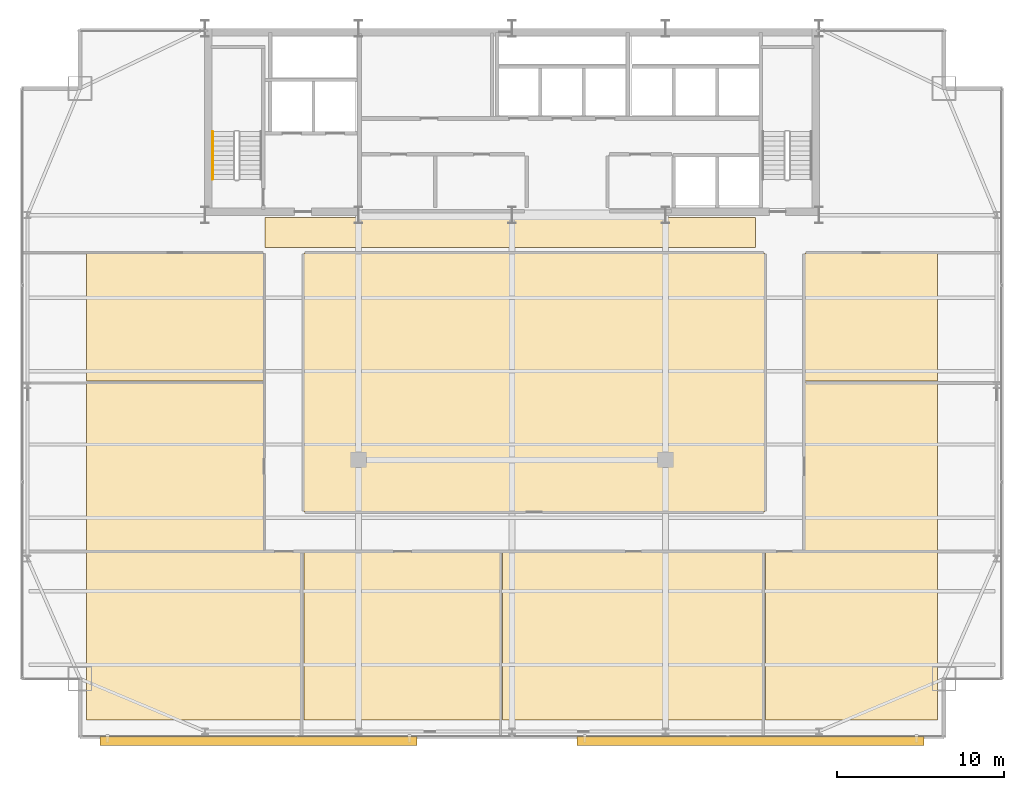
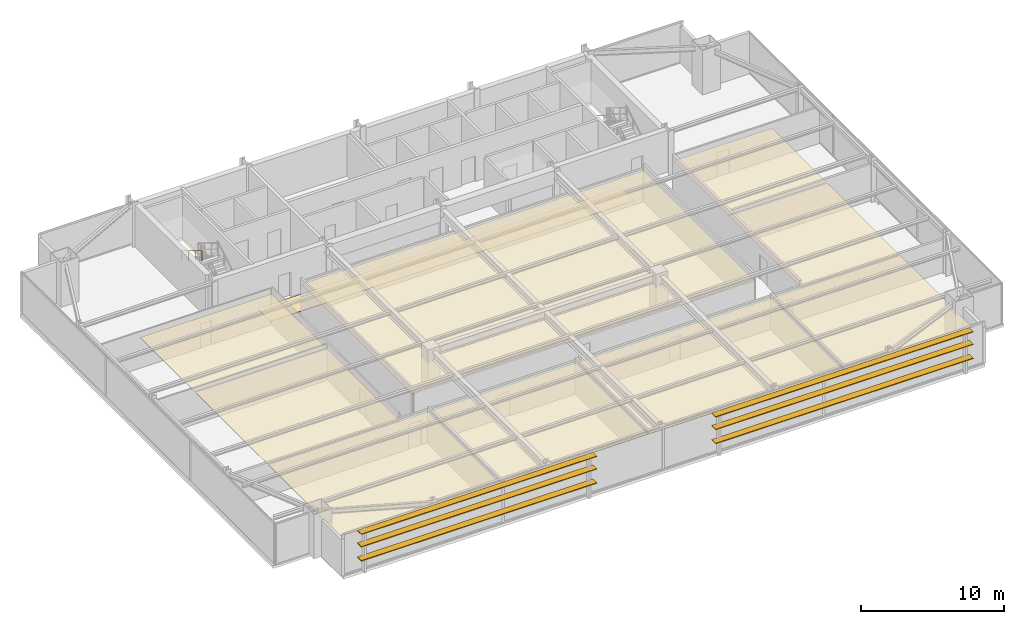
# One storey, part 32 of 33: 10 coverings, 6 shading devices, 1 railing.
"""IFC4 building model written with IfcOpenShell, lengths in metres."""

import ifcopenshell
import ifcopenshell.guid

model = None  # the IFC model being written
_history = None  # IfcOwnerHistory: only IFC2X3 demands one
_inside = {}  # id of a spatial element -> (the spatial element, [elements in it])
_under = {}  # id of a project, library or spatial element -> (it, [spatial elements below it])
_declared = {}  # id of a project -> (the project, [libraries it declares])
_typed = {}  # id of a type object -> (the type object, [elements of that type])
_made_of = {}  # id of a material, layer set ... -> (it, [elements and type objects made of it])


def new_model(schema):
    """Start an empty IFC model of exactly this schema.

    Asked for "IFC4X3", IfcOpenShell would pick the latest addendum, in which some entities
    have other attributes; the version numbers below select the first issue.
    IFC2X3 requires an IfcOwnerHistory on every rooted entity: one is made here for all.
    """
    global model, _history
    if schema == "IFC4X3":
        model = ifcopenshell.file(schema_version=(4, 3, 0, 0))
    else:
        model = ifcopenshell.file(schema=schema)
    _inside.clear()
    _under.clear()
    _declared.clear()
    _typed.clear()
    _made_of.clear()
    _history = None
    if model.schema == "IFC2X3":
        org = make("IfcOrganization", Name="unknown")
        user = make(
            "IfcPersonAndOrganization",
            ThePerson=make("IfcPerson", FamilyName="unknown"),
            TheOrganization=org,
        )
        app = make(
            "IfcApplication",
            ApplicationDeveloper=org,
            Version="unknown",
            ApplicationFullName="unknown",
            ApplicationIdentifier="unknown",
        )
        _history = make(
            "IfcOwnerHistory",
            OwningUser=user,
            OwningApplication=app,
            ChangeAction="ADDED",
            CreationDate=0,
        )
    return model


def make(cls, **values):
    """One entity of the class cls with the attributes given. An attribute that is None is left unset."""
    return model.create_entity(
        cls, **{name: value for name, value in values.items() if value is not None}
    )


def rooted(cls, **values):
    """An entity with a GlobalId (a new one), such as an element, a storey or a relation."""
    return make(cls, GlobalId=ifcopenshell.guid.new(), OwnerHistory=_history, **values)


def si_unit(unit_type, name, prefix=None):
    """IfcSIUnit, for example si_unit("LENGTHUNIT", "METRE", prefix="MILLI")."""
    return make("IfcSIUnit", UnitType=unit_type, Prefix=prefix, Name=name)


def assignment(units):
    """IfcUnitAssignment: the units of a project."""
    return None if units is None else make("IfcUnitAssignment", Units=units)


def point(xyz):
    """IfcCartesianPoint."""
    return None if xyz is None else make("IfcCartesianPoint", Coordinates=xyz)


def direction(xyz):
    """IfcDirection."""
    return None if xyz is None else make("IfcDirection", DirectionRatios=xyz)


def frame(location, z_axis=None, x_axis=None):
    """IfcAxis2Placement3D, a coordinate frame: its origin and axes. An axis left out is left unset."""
    return make(
        "IfcAxis2Placement3D",
        Location=point(location),
        Axis=direction(z_axis),
        RefDirection=direction(x_axis),
    )


def frame_2d(location, x_axis=None):
    """IfcAxis2Placement2D, a coordinate frame in the plane: its origin and x axis."""
    return make(
        "IfcAxis2Placement2D", Location=point(location), RefDirection=direction(x_axis)
    )


def origin():
    """The frame at (0, 0, 0) with its axes left unset."""
    return frame((0.0, 0.0, 0.0))


def origin_2d():
    """The frame at (0, 0) in the plane with its x axis left unset."""
    return frame_2d((0.0, 0.0))


def place(relative_to, where):
    """IfcLocalPlacement: puts the frame where relative to a parent placement (None: the world)."""
    return make(
        "IfcLocalPlacement", PlacementRelTo=relative_to, RelativePlacement=where
    )


def context(
    kind, dimensions, precision=None, world=None, true_north=None, identifier=None
):
    """IfcGeometricRepresentationContext, for example the 3D "Model" context."""
    return make(
        "IfcGeometricRepresentationContext",
        ContextIdentifier=identifier,
        ContextType=kind,
        CoordinateSpaceDimension=dimensions,
        Precision=precision,
        WorldCoordinateSystem=world,
        TrueNorth=true_north,
    )


def subcontext(parent, identifier, kind, view, scale=None):
    """IfcGeometricRepresentationSubContext, for example "Body" below "Model"."""
    return make(
        "IfcGeometricRepresentationSubContext",
        ContextIdentifier=identifier,
        ContextType=kind,
        ParentContext=parent,
        TargetScale=scale,
        TargetView=view,
    )


def project(units=None, contexts=None):
    """IfcProject with its units and contexts."""
    return rooted(
        "IfcProject",
        Name="project",
        RepresentationContexts=contexts,
        UnitsInContext=assignment(units),
    )


def spatial(cls, under=None, at=None, **own):
    """A site, building, storey or space (cls), placed at a placement, below another one or the project."""
    s = rooted(cls, ObjectPlacement=at, **own)
    if under is not None:
        _under.setdefault(under.id(), (under, []))[1].append(s)
    return s


def polyline(points):
    """IfcPolyline through the points."""
    return make("IfcPolyline", Points=[point(p) for p in points])


def profile(cls, at=None, kind="AREA", **sizes):
    """A parametric profile (cls). Its sizes go by their IFC names, for example OverallWidth=200.0."""
    return make(cls, ProfileType=kind, Position=at, **sizes)


def rectangle(**sizes):
    """IfcRectangleProfileDef."""
    return profile("IfcRectangleProfileDef", **sizes)


def outline(outer, holes=None, kind="AREA"):
    """IfcArbitraryClosedProfileDef: a profile drawn as a closed curve; with holes, ...WithVoids."""
    if holes is None:
        return make("IfcArbitraryClosedProfileDef", ProfileType=kind, OuterCurve=outer)
    return make(
        "IfcArbitraryProfileDefWithVoids",
        ProfileType=kind,
        OuterCurve=outer,
        InnerCurves=holes,
    )


def extrude(swept, where, along, depth):
    """IfcExtrudedAreaSolid: the profile swept, set in the frame where, extruded along a direction by depth."""
    return make(
        "IfcExtrudedAreaSolid",
        SweptArea=swept,
        Position=where,
        ExtrudedDirection=direction(along),
        Depth=depth,
    )


def shape(context_of_items, identifier, shape_type, items):
    """IfcShapeRepresentation: the items that make up one representation, for example the "Body"."""
    return make(
        "IfcShapeRepresentation",
        ContextOfItems=context_of_items,
        RepresentationIdentifier=identifier,
        RepresentationType=shape_type,
        Items=items,
    )


def source(mapping_origin, context_of_items, identifier, shape_type, items):
    """IfcRepresentationMap: a shape defined once, which mapped items show again and again."""
    return make(
        "IfcRepresentationMap",
        MappingOrigin=mapping_origin,
        MappedRepresentation=shape(context_of_items, identifier, shape_type, items),
    )


def transform(
    local_origin,
    x_axis=None,
    y_axis=None,
    z_axis=None,
    scale=None,
    scale2=None,
    scale3=None,
    uniform=True,
):
    """IfcCartesianTransformationOperator3D, or its non-uniform kind. x_axis, y_axis, z_axis: its Axis1, 2, 3."""
    if uniform:
        return make(
            "IfcCartesianTransformationOperator3D",
            Axis1=direction(x_axis),
            Axis2=direction(y_axis),
            LocalOrigin=point(local_origin),
            Scale=scale,
            Axis3=direction(z_axis),
        )
    return make(
        "IfcCartesianTransformationOperator3DnonUniform",
        Axis1=direction(x_axis),
        Axis2=direction(y_axis),
        LocalOrigin=point(local_origin),
        Scale=scale,
        Axis3=direction(z_axis),
        Scale2=scale2,
        Scale3=scale3,
    )


def mapped(mapping_source, mapping_target):
    """IfcMappedItem: shows the shape of a source again, moved by a transform."""
    return make(
        "IfcMappedItem", MappingSource=mapping_source, MappingTarget=mapping_target
    )


def material(Name=None, Category=None):
    """IfcMaterial."""
    return make("IfcMaterial", Name=Name, Category=Category)


def layer(
    of_material, thickness, ventilated=None, Name=None, Category=None, Priority=None
):
    """IfcMaterialLayer: one layer of a wall or slab, of a material (None: an air gap)."""
    return make(
        "IfcMaterialLayer",
        Material=of_material,
        LayerThickness=thickness,
        IsVentilated=ventilated,
        Name=Name,
        Category=Category,
        Priority=Priority,
    )


def layer_set(layers, Name=None):
    """IfcMaterialLayerSet."""
    return make("IfcMaterialLayerSet", MaterialLayers=layers, LayerSetName=Name)


def made_of(thing, what):
    """Note that an element or type object is made of a material, layer set ...; save() writes the relation."""
    if what is not None:
        _made_of.setdefault(what.id(), (what, []))[1].append(thing)
    return thing


def type_object(cls, material=None, **own):
    """A type object (cls), such as IfcWallType, which elements share."""
    return made_of(rooted(cls, **own), material)


def type_shapes(of_type, sources):
    """Give a type object the sources (RepresentationMaps) that its elements show as mapped items."""
    of_type.RepresentationMaps = sources


def element(
    cls,
    number,
    at=None,
    inside=None,
    cuts=None,
    type_object=None,
    material=None,
    context=None,
    identifier="Body",
    shape_type=None,
    held_by="IfcProductDefinitionShape",
    body=None,
    shapes=None,
    **own,
):
    """One element of the class cls, such as IfcWall. Its Tag is "e" and its number.

    at: its placement. inside: the storey or other place that contains it. cuts: it is an
    opening in that element (IfcRelVoidsElement). A single representation is given by context,
    identifier, shape_type and body (its items); several are given by shapes. held_by: the class
    of the entity that holds the representations. save() writes the other relations.
    """
    e = rooted(cls, Tag="e%d" % number, ObjectPlacement=at, **own)
    if body is not None:
        shapes = [shape(context, identifier, shape_type, body)]
    if shapes is not None:
        e.Representation = make(held_by, Representations=shapes)
    if inside is not None:
        _inside.setdefault(inside.id(), (inside, []))[1].append(e)
    if cuts is not None:
        rooted(
            "IfcRelVoidsElement", RelatingBuildingElement=cuts, RelatedOpeningElement=e
        )
    if type_object is not None:
        _typed.setdefault(type_object.id(), (type_object, []))[1].append(e)
    return made_of(e, material)


def aggregate(whole, parts):
    """IfcRelAggregates: a whole, such as a stair, and the parts it consists of."""
    return rooted("IfcRelAggregates", RelatingObject=whole, RelatedObjects=parts)


def save(model, path):
    """Write the relations noted so far, then the file.

    IfcRelAggregates (storeys below a building ...), IfcRelContainedInSpatialStructure (elements
    in a storey), IfcRelDefinesByType, IfcRelAssociatesMaterial and IfcRelDeclares: one each for
    every whole, place, type object, material and project.
    """
    for whole, parts in _under.values():
        aggregate(whole, parts)
    for where, things in _inside.values():
        rooted(
            "IfcRelContainedInSpatialStructure",
            RelatedElements=things,
            RelatingStructure=where,
        )
    for kind, things in _typed.values():
        rooted("IfcRelDefinesByType", RelatedObjects=things, RelatingType=kind)
    for what, things in _made_of.values():
        rooted("IfcRelAssociatesMaterial", RelatedObjects=things, RelatingMaterial=what)
    for by, libraries in _declared.values():
        rooted("IfcRelDeclares", RelatingContext=by, RelatedDefinitions=libraries)
    model.write(path)


model = new_model("IFC4")

# Units and contexts
model_context = context("Model", 3, precision=1e-05, world=origin(), true_north=direction((0.0, 1.0)))
body_context = subcontext(model_context, "Body", "Model", "MODEL_VIEW")
ifc_project = project(units=[si_unit("LENGTHUNIT", "METRE"), si_unit("AREAUNIT", "SQUARE_METRE"), si_unit("VOLUMEUNIT", "CUBIC_METRE"), si_unit("PLANEANGLEUNIT", "RADIAN"), si_unit("MASSUNIT", "GRAM", prefix="KILO")], contexts=[model_context])

# Site, building, storey
site_placement = place(None, origin())
site = spatial("IfcSite", under=ifc_project, at=site_placement, CompositionType="ELEMENT")
building_placement = place(site_placement, origin())
building = spatial("IfcBuilding", under=site, at=building_placement, Name="Varnel Quay Broadcast Tower", CompositionType="ELEMENT")
storey_placement = place(building_placement, frame((0.0, 0.0, 129.60009765625)))
storey = spatial("IfcBuildingStorey", under=building, at=storey_placement, Name="L31", CompositionType="ELEMENT", Elevation=129.60009765625)

# Coverings
ifc_material_1 = material(Name="Micro-Perforated Acoustic Ceiling Tile")
ifc_layer_1 = layer(ifc_material_1, 0.0400390625, Name="Micro-Perforated Acoustic Ceiling Tile")
ifc_layer_set_1 = layer_set([ifc_layer_1], Name="Micro-Perforated Acoustic Ceiling Tile")
covering_type_1 = type_object("IfcCoveringType", Name="Cov_AcousticCeiling", PredefinedType="CEILING", material=ifc_layer_set_1)
covering_1_placement = place(storey_placement, frame((0.0, 0.0, 2.579833984375)))
element("IfcCovering", 1, at=covering_1_placement, inside=storey, type_object=covering_type_1, Name="L31 Screening Meeting Room 1 Acoustic Ceiling", PredefinedType="CEILING", context=body_context, shape_type="SweptSolid", body=[
    extrude(outline(polyline([(8.485107421875, 5.324951171875), (21.455078125, 5.324951171875), (21.455078125, 15.39501953125), (8.485107421875, 15.39501953125), (8.485107421875, 5.324951171875)])), origin(), (0.0, 0.0, 1.0), 0.0400390625),
])
covering_2_placement = place(storey_placement, frame((0.0, 0.0, 2.579833984375)))
element("IfcCovering", 2, at=covering_2_placement, inside=storey, type_object=covering_type_1, Name="L31 Producer Lounge 2 Acoustic Ceiling", PredefinedType="CEILING", context=body_context, shape_type="SweptSolid", body=[
    extrude(outline(polyline([(21.52490234375, 5.324951171875), (33.375, 5.324951171875), (33.375, 15.39501953125), (21.52490234375, 15.39501953125), (21.52490234375, 5.324951171875)])), origin(), (0.0, 0.0, 1.0), 0.0400390625),
])
covering_3_placement = place(storey_placement, frame((0.0, 0.0, 2.579833984375)))
element("IfcCovering", 3, at=covering_3_placement, inside=storey, type_object=covering_type_1, Name="L31 Tea Kitchen 3 Acoustic Ceiling", PredefinedType="CEILING", context=body_context, shape_type="SweptSolid", body=[
    extrude(outline(polyline([(33.445068359375, 5.324951171875), (49.135009765625, 5.324951171875), (49.135009765625, 15.39501953125), (33.445068359375, 15.39501953125), (33.445068359375, 5.324951171875)])), origin(), (0.0, 0.0, 1.0), 0.0400390625),
])
covering_4_placement = place(storey_placement, frame((0.0, 0.0, 2.579833984375)))
element("IfcCovering", 4, at=covering_4_placement, inside=storey, type_object=covering_type_1, Name="L31 Media Tape Archive Store 4 Acoustic Ceiling", PredefinedType="CEILING", context=body_context, shape_type="SweptSolid", body=[
    extrude(outline(polyline([(49.205078125, 5.324951171875), (59.514892578125, 5.324951171875), (59.514892578125, 15.39501953125), (49.205078125, 15.39501953125), (49.205078125, 5.324951171875)])), origin(), (0.0, 0.0, 1.0), 0.0400390625),
])
covering_5_placement = place(storey_placement, frame((0.0, 0.0, 2.579833984375)))
element("IfcCovering", 5, at=covering_5_placement, inside=storey, type_object=covering_type_1, Name="L31 Lens & Rigging Store 5 Acoustic Ceiling", PredefinedType="CEILING", context=body_context, shape_type="SweptSolid", body=[
    extrude(outline(polyline([(8.485107421875, 15.465087890625), (19.10498046875, 15.465087890625), (19.10498046875, 25.594970703125), (8.485107421875, 25.594970703125), (8.485107421875, 15.465087890625)])), origin(), (0.0, 0.0, 1.0), 0.0400390625),
])
covering_6_placement = place(storey_placement, frame((0.0, 0.0, 2.579833984375)))
element("IfcCovering", 6, at=covering_6_placement, inside=storey, type_object=covering_type_1, Name="L31 Ingest Vault Store 6 Acoustic Ceiling", PredefinedType="CEILING", context=body_context, shape_type="SweptSolid", body=[
    extrude(outline(polyline([(8.485107421875, 25.6650390625), (19.10498046875, 25.6650390625), (19.10498046875, 33.31494140625), (8.485107421875, 33.31494140625), (8.485107421875, 25.6650390625)])), origin(), (0.0, 0.0, 1.0), 0.0400390625),
])
covering_7_placement = place(storey_placement, frame((0.0, 0.0, 2.579833984375)))
element("IfcCovering", 7, at=covering_7_placement, inside=storey, type_object=covering_type_1, Name="L31 Color Timing Suite 7 Acoustic Ceiling", PredefinedType="CEILING", context=body_context, shape_type="SweptSolid", body=[
    extrude(outline(polyline([(21.52490234375, 17.81494140625), (49.135009765625, 17.81494140625), (49.135009765625, 33.31494140625), (21.52490234375, 33.31494140625), (21.52490234375, 17.81494140625)])), origin(), (0.0, 0.0, 1.0), 0.0400390625),
])
covering_8_placement = place(storey_placement, frame((0.0, 0.0, 2.579833984375)))
element("IfcCovering", 8, at=covering_8_placement, inside=storey, type_object=covering_type_1, Name="L31 Screening Meeting Room 8 Acoustic Ceiling", PredefinedType="CEILING", context=body_context, shape_type="SweptSolid", body=[
    extrude(outline(polyline([(51.554931640625, 15.465087890625), (59.514892578125, 15.465087890625), (59.514892578125, 25.594970703125), (51.554931640625, 25.594970703125), (51.554931640625, 15.465087890625)])), origin(), (0.0, 0.0, 1.0), 0.0400390625),
])
covering_9_placement = place(storey_placement, frame((0.0, 0.0, 2.579833984375)))
element("IfcCovering", 9, at=covering_9_placement, inside=storey, type_object=covering_type_1, Name="L31 Producer Lounge 9 Acoustic Ceiling", PredefinedType="CEILING", context=body_context, shape_type="SweptSolid", body=[
    extrude(outline(polyline([(51.554931640625, 25.6650390625), (59.514892578125, 25.6650390625), (59.514892578125, 33.31494140625), (51.554931640625, 33.31494140625), (51.554931640625, 25.6650390625)])), origin(), (0.0, 0.0, 1.0), 0.0400390625),
])
ifc_material_2 = material(Name="Polished Terrazzo & Broadcast Raised Flooring")
ifc_layer_2 = layer(ifc_material_2, 0.0400390625, Name="Polished Terrazzo & Broadcast Raised Flooring")
ifc_layer_set_2 = layer_set([ifc_layer_2], Name="Polished Terrazzo & Broadcast Raised Flooring")
covering_type_2 = type_object("IfcCoveringType", Name="Cov_TerrazzoFloor", PredefinedType="FLOORING", material=ifc_layer_set_2)
covering_10_placement = place(storey_placement, origin())
element("IfcCovering", 10, at=covering_10_placement, inside=storey, type_object=covering_type_2, Name="L31 Corridor Terrazzo Flooring", PredefinedType="FLOORING", context=body_context, shape_type="SweptSolid", body=[
    extrude(outline(polyline([(19.199951171875, 33.64990234375), (48.60009765625, 33.64990234375), (48.60009765625, 35.449951171875), (19.199951171875, 35.449951171875), (19.199951171875, 33.64990234375)])), origin(), (0.0, 0.0, 1.0), 0.039794921875),
])

# Railing
ifc_material_3 = material(Name="Painted Steel Guard and Handrail CSA G40.21 350W", Category="steel")
railing_type = type_object("IfcRailingType", Name="Rail_StairHandrail900", PredefinedType="HANDRAIL", material=ifc_material_3)
railing_placement = place(storey_placement, frame((16.050048828125, 40.60009765625, 2.072509765625)))
element("IfcRailing", 11, at=railing_placement, inside=storey, type_object=railing_type, Name="L31 ST-01 stair handrail 2", PredefinedType="HANDRAIL", context=body_context, shape_type="SweptSolid", body=[
    extrude(rectangle(XDim=0.048095703125, YDim=0.048095703125, at=origin_2d()), frame((0.0, 0.0, 0.8759765625), z_axis=(0.0, -0.855202751398, 0.518293598264), x_axis=(1.0, 0.0, 0.0)), (0.0, 0.0, 1.0), 3.332763671875),
    extrude(rectangle(XDim=0.0419921875, YDim=0.0419921875, at=origin_2d()), origin(), (0.0, 0.0, 1.0), 0.851806640625),
    extrude(rectangle(XDim=0.0419921875, YDim=0.0419921875, at=origin_2d()), frame((0.0, -0.949951171875, 0.57568359375)), (0.0, 0.0, 1.0), 0.851806640625),
    extrude(rectangle(XDim=0.0419921875, YDim=0.0419921875, at=origin_2d()), frame((0.0, -1.900146484375, 1.151611328125)), (0.0, 0.0, 1.0), 0.851806640625),
    extrude(rectangle(XDim=0.0419921875, YDim=0.0419921875, at=origin_2d()), frame((0.0, -2.85009765625, 1.727294921875)), (0.0, 0.0, 1.0), 0.851806640625),
])

# Shading devices
ifc_material_4 = material(Name="Bronze-Terracotta Extruded Ceramic Blade", Category="masonry")
ifc_layer_3 = layer(ifc_material_4, 0.06494140625, Name="Bronze-Terracotta Extruded Ceramic Blade")
ifc_layer_set_3 = layer_set([ifc_layer_3], Name="Bronze-Terracotta Extruded Ceramic Blade")
shading_device_type = type_object("IfcShadingDeviceType", Name="Shade_LouvreBlade550", PredefinedType="JALOUSIE", material=ifc_layer_set_3)
shared_shape_1 = source(origin(), body_context, "Body", "SweptSolid", [
    extrude(rectangle(XDim=20.794921875, YDim=0.550048828125, at=origin_2d()), origin(), (0.0, 0.0, 1.0), 0.06494140625),
])
for number, where, z_axis, x_axis, name in (
    (12, (48.302978515625, 4.06005859375, 1.117431640625), (0.0, 0.0, 1.0), (1.0, 0.0, 0.0), "L31 Lobe 2 Horizontal Louvre Blade 1"),
    (13, (48.302978515625, 4.06005859375, 2.3173828125), (0.0, 0.0, 1.0), (1.0, 0.0, 0.0), "L31 Lobe 2 Horizontal Louvre Blade 2"),
    (14, (48.302978515625, 4.06005859375, 3.387451171875), (0.0, 0.0, 1.0), (1.0, 0.0, 0.0), "L31 Lobe 2 Horizontal Louvre Blade 3"),
):
    element("IfcShadingDevice", number, at=place(storey_placement, frame(where, z_axis=z_axis, x_axis=x_axis)), inside=storey, type_object=shading_device_type, Name=name, PredefinedType="JALOUSIE", context=body_context, shape_type="MappedRepresentation", body=[
        mapped(shared_shape_1, transform((0.0, 0.0, 0.0), x_axis=(1.0, 0.0, 0.0), y_axis=(0.0, 1.0, 0.0), z_axis=(0.0, 0.0, 1.0), scale=1.0)),
    ])
shared_shape_2 = source(origin(), body_context, "Body", "SweptSolid", [
    extrude(rectangle(XDim=19.0048828125, YDim=0.550048828125, at=origin_2d()), origin(), (0.0, 0.0, 1.0), 0.06494140625),
])
type_shapes(shading_device_type, [shared_shape_1, shared_shape_2])
for number, where, z_axis, x_axis, name in (
    (15, (18.802978515625, 4.06005859375, 1.117431640625), (0.0, 0.0, 1.0), (1.0, 0.0, 0.0), "L31 Lobe 1 Horizontal Louvre Blade 1"),
    (16, (18.802978515625, 4.06005859375, 2.3173828125), (0.0, 0.0, 1.0), (1.0, 0.0, 0.0), "L31 Lobe 1 Horizontal Louvre Blade 2"),
    (17, (18.802978515625, 4.06005859375, 3.387451171875), (0.0, 0.0, 1.0), (1.0, 0.0, 0.0), "L31 Lobe 1 Horizontal Louvre Blade 3"),
):
    element("IfcShadingDevice", number, at=place(storey_placement, frame(where, z_axis=z_axis, x_axis=x_axis)), inside=storey, type_object=shading_device_type, Name=name, PredefinedType="JALOUSIE", context=body_context, shape_type="MappedRepresentation", body=[
        mapped(shared_shape_2, transform((0.0, 0.0, 0.0), x_axis=(1.0, 0.0, 0.0), y_axis=(0.0, 1.0, 0.0), z_axis=(0.0, 0.0, 1.0), scale=1.0)),
    ])

save(model, "model.ifc")
